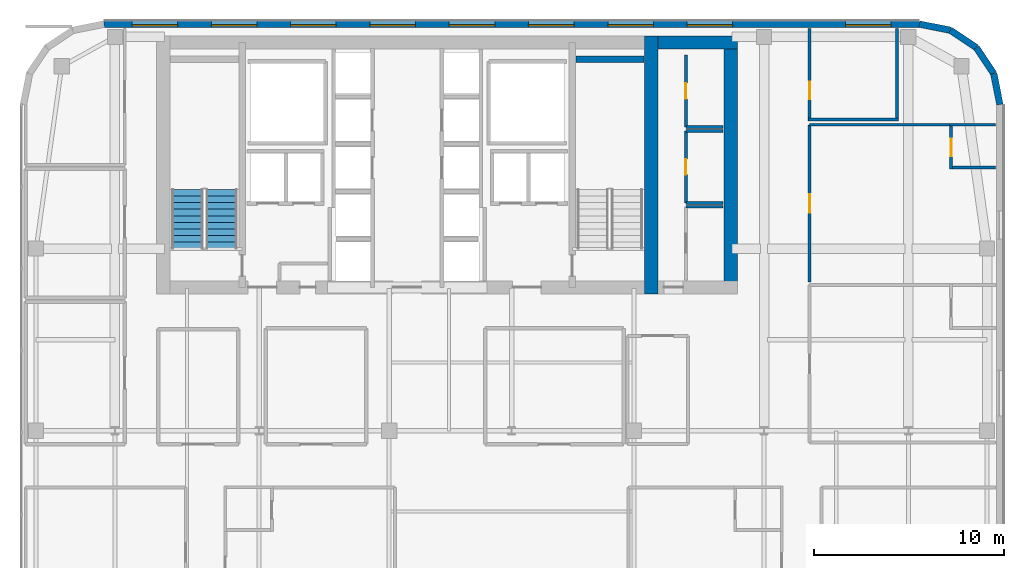
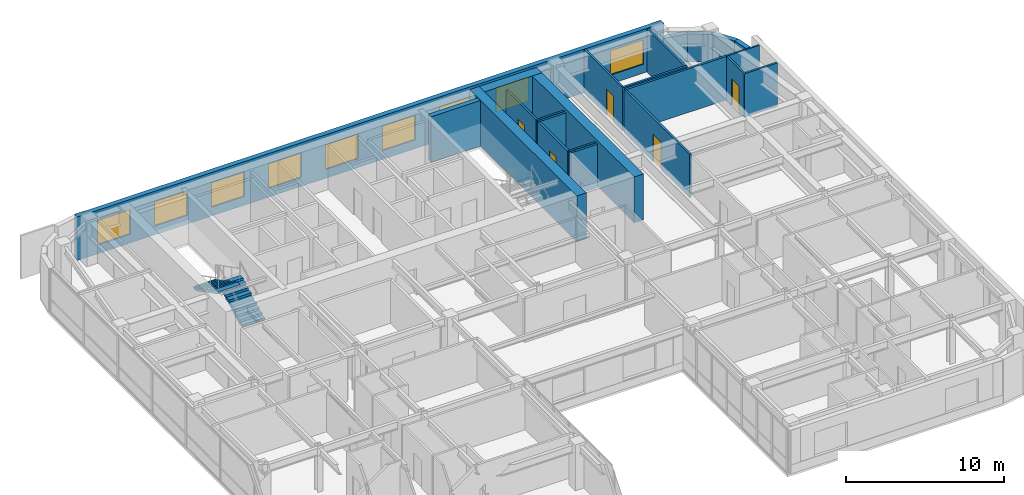
# One storey, part 22 of 28: 23 walls, 9 windows, 5 doors, 2 stair flights, 14 openings, 1 element without a shape of its own.
"""IFC4 building model written with IfcOpenShell, lengths in metres."""

from ifc_helpers import new_model, si_unit, direction, frame, frame_2d, origin, place, context, subcontext, project, spatial, polyline, rectangle, outline, extrude, source, transform, mapped, material, layer, layer_set, type_object, type_shapes, element, fill, aggregate, save


model = new_model("IFC4")

# Units and contexts
model_context = context("Model", 3, precision=1e-05, world=origin(), true_north=direction((0.0, 1.0)))
body_context = subcontext(model_context, "Body", "Model", "MODEL_VIEW")
ifc_project = project(units=[si_unit("LENGTHUNIT", "METRE"), si_unit("AREAUNIT", "SQUARE_METRE"), si_unit("VOLUMEUNIT", "CUBIC_METRE"), si_unit("PLANEANGLEUNIT", "RADIAN"), si_unit("MASSUNIT", "GRAM", prefix="KILO")], contexts=[model_context])

# Site, building, storey
site_placement = place(None, origin())
site = spatial("IfcSite", under=ifc_project, at=site_placement, CompositionType="ELEMENT")
building_placement = place(site_placement, origin())
building = spatial("IfcBuilding", under=site, at=building_placement, Name="Tolvann Quenvar Hotel", CompositionType="ELEMENT")
storey_placement = place(building_placement, frame((0.0, 0.0, 198.199951171875)))
storey = spatial("IfcBuildingStorey", under=building, at=storey_placement, Name="L52", CompositionType="ELEMENT", Elevation=198.199951171875)

# Walls
ifc_material_1 = material(Name="Concrete S65 (65 MPa)", Category="concrete")
ifc_layer_1 = layer(ifc_material_1, 0.699951171875)
ifc_layer_set_1 = layer_set([ifc_layer_1], Name="Concrete S65 (65 MPa)")
wall_type_1 = type_object("IfcWallType", Name="WALL_CORE_700", PredefinedType="SHEAR", material=ifc_layer_set_1)
wall_1_placement = place(storey_placement, frame((35.85009765625, 31.60009765625, 0.0), z_axis=(0.0, 0.0, 1.0), x_axis=(0.0, 1.0, 0.0)))
element("IfcWall", 1, at=wall_1_placement, inside=storey, type_object=wall_type_1, Name="Rear Core E Shear Wall (L52)", PredefinedType="SHEAR", context=body_context, shape_type="SweptSolid", body=[
    extrude(rectangle(XDim=13.599853515625, YDim=0.699951171875, at=frame_2d((6.7998046875, 0.0))), origin(), (0.0, 0.0, 1.0), 3.550048828125),
])
wall_2_placement = place(storey_placement, frame((36.199951171875, 44.85009765625, 0.0), z_axis=(0.0, 0.0, 1.0), x_axis=(1.0, 0.0, 0.0)))
element("IfcWall", 2, at=wall_2_placement, inside=storey, type_object=wall_type_1, Name="Core East Annex Shear Wall ANN-N (L52)", PredefinedType="SHEAR", context=body_context, shape_type="SweptSolid", body=[
    extrude(rectangle(XDim=4.199951171875, YDim=0.699951171875, at=frame_2d((2.10009765625, 0.0))), origin(), (0.0, 0.0, 1.0), 3.550048828125),
])
wall_3_placement = place(storey_placement, frame((40.050048828125, 31.60009765625, 0.0), z_axis=(0.0, 0.0, 1.0), x_axis=(0.0, 1.0, 0.0)))
element("IfcWall", 3, at=wall_3_placement, inside=storey, type_object=wall_type_1, Name="Core East Annex Shear Wall ANN-E (L52)", PredefinedType="SHEAR", context=body_context, shape_type="SweptSolid", body=[
    extrude(rectangle(XDim=13.599853515625, YDim=0.699951171875, at=frame_2d((6.7998046875, 0.0))), origin(), (0.0, 0.0, 1.0), 3.550048828125),
])
ifc_layer_2 = layer(ifc_material_1, 0.35009765625)
ifc_layer_set_2 = layer_set([ifc_layer_2], Name="Concrete S65 (65 MPa)")
wall_type_2 = type_object("IfcWallType", Name="WALL_CORE_INT_350", PredefinedType="SHEAR", material=ifc_layer_set_2)
wall_4_placement = place(storey_placement, frame((31.8798828125, 43.97509765625, 0.0), z_axis=(0.0, 0.0, 1.0), x_axis=(1.0, 0.0, 0.0)))
element("IfcWall", 4, at=wall_4_placement, inside=storey, type_object=wall_type_2, Name="Core Stair North Closing Shear Wall STC2-N (L52)", PredefinedType="SHEAR", context=body_context, shape_type="SweptSolid", body=[
    extrude(rectangle(XDim=3.60009765625, YDim=0.35009765625, at=frame_2d((1.800048828125, 0.0))), origin(), (0.0, 0.0, 1.0), 3.550048828125),
])
ifc_material_2 = material(Name="Kiln-fired red and buff architectural clay brickwork and terracotta masonry", Category="masonry")
ifc_layer_3 = layer(ifc_material_2, 0.35009765625)
ifc_layer_set_3 = layer_set([ifc_layer_3], Name="Kiln-fired red and buff architectural clay brickwork and terracotta masonry")
wall_type_3 = type_object("IfcWallType", Name="WALL_EXT_BRICK_350", PredefinedType="SOLIDWALL", material=ifc_layer_set_3)
wall_5_placement = place(storey_placement, frame((54.22509765625, 41.582763671875, 0.0), z_axis=(0.0, 0.0, 1.0), x_axis=(-0.195044345786, 0.980794424524, 0.0)))
element("IfcWall", 5, at=wall_5_placement, inside=storey, type_object=wall_type_3, Name="Exterior Chicago Brick Wall L52-E14", PredefinedType="SOLIDWALL", context=body_context, shape_type="SweptSolid", body=[
    extrude(rectangle(XDim=1.664794921875, YDim=0.35009765625, at=frame_2d((0.83251953125, 0.0))), origin(), (0.0, 0.0, 1.0), 2.16015625),
])
for number, where, z_axis, x_axis, name in (
    (6, (53.900390625, 43.215576171875, 0.0), (0.0, 0.0, 1.0), (-0.555623290322, 0.831434158098, 0.0), "Exterior Chicago Brick Wall L52-E15"),
    (7, (52.985107421875, 44.585205078125, 0.0), (0.0, 0.0, 1.0), (-0.831502623162, 0.555520825599, 0.0), "Exterior Chicago Brick Wall L52-E16"),
):
    element("IfcWall", number, at=place(storey_placement, frame(where, z_axis=z_axis, x_axis=x_axis)), inside=storey, type_object=wall_type_3, Name=name, PredefinedType="SOLIDWALL", context=body_context, shape_type="SweptSolid", body=[
        extrude(rectangle(XDim=1.647216796875, YDim=0.35009765625, at=frame_2d((0.82373046875, 0.0))), origin(), (0.0, 0.0, 1.0), 2.16015625),
    ])
wall_6_placement = place(storey_placement, frame((51.615478515625, 45.500244140625, 0.0), z_axis=(0.0, 0.0, 1.0), x_axis=(-0.980788844421, 0.195072403631, 0.0)))
element("IfcWall", 8, at=wall_6_placement, inside=storey, type_object=wall_type_3, Name="Exterior Chicago Brick Wall L52-E17", PredefinedType="SOLIDWALL", context=body_context, shape_type="SweptSolid", body=[
    extrude(rectangle(XDim=1.66455078125, YDim=0.35009765625, at=frame_2d((0.832275390625, 0.0))), origin(), (0.0, 0.0, 1.0), 2.16015625),
])

# Wall, openings, windows
wall_7_placement = place(storey_placement, frame((49.98291015625, 45.824951171875, 0.0), z_axis=(0.0, 0.0, 1.0), x_axis=(-1.0, 0.0, 0.0)))
wall_7 = element("IfcWall", 9, at=wall_7_placement, inside=storey, type_object=wall_type_3, Name="Exterior Chicago Brick Wall L52-E18", PredefinedType="SOLIDWALL", context=body_context, shape_type="SweptSolid", body=[
    extrude(rectangle(XDim=42.9658203125, YDim=0.35009765625, at=frame_2d((21.48291015625, 0.0))), origin(), (0.0, 0.0, 1.0), 3.3701171875),
])
opening_1_placement = place(wall_7_placement, frame((1.488037109375, 0.0, 0.679931640625)))
opening_1 = element("IfcOpeningElement", 10, at=opening_1_placement, cuts=wall_7, Name="Opening W-01", PredefinedType="OPENING", context=body_context, shape_type="SweptSolid", body=[
    extrude(rectangle(XDim=2.39990234375, YDim=1.89990234375, at=frame_2d((1.199951171875, 0.949951171875))), frame((0.0, 0.18505859375, 0.0), z_axis=(0.0, -1.0, 0.0), x_axis=(1.0, 0.0, 0.0)), (0.0, 0.0, 1.0), 0.3701171875),
])
opening_2_placement = place(wall_7_placement, frame((9.841064453125, 0.0, 0.679931640625)))
opening_2 = element("IfcOpeningElement", 11, at=opening_2_placement, cuts=wall_7, Name="Opening W-01", PredefinedType="OPENING", context=body_context, shape_type="SweptSolid", body=[
    extrude(rectangle(XDim=2.39990234375, YDim=1.89990234375, at=frame_2d((1.199951171875, 0.949951171875))), frame((0.0, 0.18505859375, 0.0), z_axis=(0.0, -1.0, 0.0), x_axis=(1.0, 0.0, 0.0)), (0.0, 0.0, 1.0), 0.3701171875),
])
opening_3_placement = place(wall_7_placement, frame((14.01806640625, 0.0, 0.679931640625)))
opening_3 = element("IfcOpeningElement", 12, at=opening_3_placement, cuts=wall_7, Name="Opening W-01", PredefinedType="OPENING", context=body_context, shape_type="SweptSolid", body=[
    extrude(rectangle(XDim=2.39990234375, YDim=1.89990234375, at=frame_2d((1.199951171875, 0.949951171875))), frame((0.0, 0.18505859375, 0.0), z_axis=(0.0, -1.0, 0.0), x_axis=(1.0, 0.0, 0.0)), (0.0, 0.0, 1.0), 0.3701171875),
])
opening_4_placement = place(wall_7_placement, frame((18.195068359375, 0.0, 0.679931640625)))
opening_4 = element("IfcOpeningElement", 13, at=opening_4_placement, cuts=wall_7, Name="Opening W-01", PredefinedType="OPENING", context=body_context, shape_type="SweptSolid", body=[
    extrude(rectangle(XDim=2.39990234375, YDim=1.89990234375, at=frame_2d((1.199951171875, 0.949951171875))), frame((0.0, 0.18505859375, 0.0), z_axis=(0.0, -1.0, 0.0), x_axis=(1.0, 0.0, 0.0)), (0.0, 0.0, 1.0), 0.3701171875),
])
opening_5_placement = place(wall_7_placement, frame((22.37109375, 0.0, 0.679931640625)))
opening_5 = element("IfcOpeningElement", 14, at=opening_5_placement, cuts=wall_7, Name="Opening W-01", PredefinedType="OPENING", context=body_context, shape_type="SweptSolid", body=[
    extrude(rectangle(XDim=2.39990234375, YDim=1.89990234375, at=frame_2d((1.199951171875, 0.949951171875))), frame((0.0, 0.18505859375, 0.0), z_axis=(0.0, -1.0, 0.0), x_axis=(1.0, 0.0, 0.0)), (0.0, 0.0, 1.0), 0.3701171875),
])
opening_6_placement = place(wall_7_placement, frame((26.548095703125, 0.0, 0.679931640625)))
opening_6 = element("IfcOpeningElement", 15, at=opening_6_placement, cuts=wall_7, Name="Opening W-01", PredefinedType="OPENING", context=body_context, shape_type="SweptSolid", body=[
    extrude(rectangle(XDim=2.39990234375, YDim=1.89990234375, at=frame_2d((1.199951171875, 0.949951171875))), frame((0.0, 0.18505859375, 0.0), z_axis=(0.0, -1.0, 0.0), x_axis=(1.0, 0.0, 0.0)), (0.0, 0.0, 1.0), 0.3701171875),
])
opening_7_placement = place(wall_7_placement, frame((30.72412109375, 0.0, 0.679931640625)))
opening_7 = element("IfcOpeningElement", 16, at=opening_7_placement, cuts=wall_7, Name="Opening W-01", PredefinedType="OPENING", context=body_context, shape_type="SweptSolid", body=[
    extrude(rectangle(XDim=2.39990234375, YDim=1.89990234375, at=frame_2d((1.199951171875, 0.949951171875))), frame((0.0, 0.18505859375, 0.0), z_axis=(0.0, -1.0, 0.0), x_axis=(1.0, 0.0, 0.0)), (0.0, 0.0, 1.0), 0.3701171875),
])
opening_8_placement = place(wall_7_placement, frame((34.90087890625, 0.0, 0.679931640625)))
opening_8 = element("IfcOpeningElement", 17, at=opening_8_placement, cuts=wall_7, Name="Opening W-01", PredefinedType="OPENING", context=body_context, shape_type="SweptSolid", body=[
    extrude(rectangle(XDim=2.39990234375, YDim=1.89990234375, at=frame_2d((1.199951171875, 0.949951171875))), frame((0.0, 0.18505859375, 0.0), z_axis=(0.0, -1.0, 0.0), x_axis=(1.0, 0.0, 0.0)), (0.0, 0.0, 1.0), 0.3701171875),
])
opening_9_placement = place(wall_7_placement, frame((39.076904296875, 0.0, 0.679931640625)))
opening_9 = element("IfcOpeningElement", 18, at=opening_9_placement, cuts=wall_7, Name="Opening W-01", PredefinedType="OPENING", context=body_context, shape_type="SweptSolid", body=[
    extrude(rectangle(XDim=2.39990234375, YDim=1.89990234375, at=frame_2d((1.199951171875, 0.949951171875))), frame((0.0, 0.18505859375, 0.0), z_axis=(0.0, -1.0, 0.0), x_axis=(1.0, 0.0, 0.0)), (0.0, 0.0, 1.0), 0.3701171875),
])
ifc_material_3 = material(Name="Thermally broken bronze-anodised aluminium frame with double low-E glazing", Category="aluminium")
window_type = type_object("IfcWindowType", Name="WIN_CHI_2400x2050", PartitioningType="TRIPLE_PANEL_HORIZONTAL", PredefinedType="WINDOW", material=ifc_material_3)
shared_shape_1 = source(origin(), body_context, "Body", "SweptSolid", [
    extrude(rectangle(XDim=2.39990234375, YDim=1.89990234375, at=frame_2d((1.199951171875, 0.949951171875))), frame((0.0, 0.090087890625, 0.0), z_axis=(0.0, -1.0, 0.0), x_axis=(1.0, 0.0, 0.0)), (0.0, 0.0, 1.0), 0.06005859375),
])
type_shapes(window_type, [shared_shape_1])
window_1_placement = place(opening_1_placement, origin())
window_1 = element("IfcWindow", 19, at=window_1_placement, inside=storey, type_object=window_type, Name="Chicago Window W-01 (EW-L52-E18-W01)", OverallHeight=1.89990234375, OverallWidth=2.39990234375, PartitioningType="TRIPLE_PANEL_HORIZONTAL", PredefinedType="WINDOW", context=body_context, shape_type="MappedRepresentation", body=[
    mapped(shared_shape_1, transform((0.0, 0.0, 0.0), x_axis=(1.0, 0.0, 0.0), y_axis=(0.0, 1.0, 0.0), z_axis=(0.0, 0.0, 1.0), scale=1.0)),
])
fill(opening_1, window_1)
window_2_placement = place(opening_2_placement, origin())
window_2 = element("IfcWindow", 20, at=window_2_placement, inside=storey, type_object=window_type, Name="Chicago Window W-01 (EW-L52-E18-W02)", OverallHeight=1.89990234375, OverallWidth=2.39990234375, PartitioningType="TRIPLE_PANEL_HORIZONTAL", PredefinedType="WINDOW", context=body_context, shape_type="MappedRepresentation", body=[
    mapped(shared_shape_1, transform((0.0, 0.0, 0.0), x_axis=(1.0, 0.0, 0.0), y_axis=(0.0, 1.0, 0.0), z_axis=(0.0, 0.0, 1.0), scale=1.0)),
])
fill(opening_2, window_2)
window_3_placement = place(opening_3_placement, origin())
window_3 = element("IfcWindow", 21, at=window_3_placement, inside=storey, type_object=window_type, Name="Chicago Window W-01 (EW-L52-E18-W03)", OverallHeight=1.89990234375, OverallWidth=2.39990234375, PartitioningType="TRIPLE_PANEL_HORIZONTAL", PredefinedType="WINDOW", context=body_context, shape_type="MappedRepresentation", body=[
    mapped(shared_shape_1, transform((0.0, 0.0, 0.0), x_axis=(1.0, 0.0, 0.0), y_axis=(0.0, 1.0, 0.0), z_axis=(0.0, 0.0, 1.0), scale=1.0)),
])
fill(opening_3, window_3)
window_4_placement = place(opening_4_placement, origin())
window_4 = element("IfcWindow", 22, at=window_4_placement, inside=storey, type_object=window_type, Name="Chicago Window W-01 (EW-L52-E18-W04)", OverallHeight=1.89990234375, OverallWidth=2.39990234375, PartitioningType="TRIPLE_PANEL_HORIZONTAL", PredefinedType="WINDOW", context=body_context, shape_type="MappedRepresentation", body=[
    mapped(shared_shape_1, transform((0.0, 0.0, 0.0), x_axis=(1.0, 0.0, 0.0), y_axis=(0.0, 1.0, 0.0), z_axis=(0.0, 0.0, 1.0), scale=1.0)),
])
fill(opening_4, window_4)
window_5_placement = place(opening_5_placement, origin())
window_5 = element("IfcWindow", 23, at=window_5_placement, inside=storey, type_object=window_type, Name="Chicago Window W-01 (EW-L52-E18-W05)", OverallHeight=1.89990234375, OverallWidth=2.39990234375, PartitioningType="TRIPLE_PANEL_HORIZONTAL", PredefinedType="WINDOW", context=body_context, shape_type="MappedRepresentation", body=[
    mapped(shared_shape_1, transform((0.0, 0.0, 0.0), x_axis=(1.0, 0.0, 0.0), y_axis=(0.0, 1.0, 0.0), z_axis=(0.0, 0.0, 1.0), scale=1.0)),
])
fill(opening_5, window_5)
window_6_placement = place(opening_6_placement, origin())
window_6 = element("IfcWindow", 24, at=window_6_placement, inside=storey, type_object=window_type, Name="Chicago Window W-01 (EW-L52-E18-W06)", OverallHeight=1.89990234375, OverallWidth=2.39990234375, PartitioningType="TRIPLE_PANEL_HORIZONTAL", PredefinedType="WINDOW", context=body_context, shape_type="MappedRepresentation", body=[
    mapped(shared_shape_1, transform((0.0, 0.0, 0.0), x_axis=(1.0, 0.0, 0.0), y_axis=(0.0, 1.0, 0.0), z_axis=(0.0, 0.0, 1.0), scale=1.0)),
])
fill(opening_6, window_6)
window_7_placement = place(opening_7_placement, origin())
window_7 = element("IfcWindow", 25, at=window_7_placement, inside=storey, type_object=window_type, Name="Chicago Window W-01 (EW-L52-E18-W07)", OverallHeight=1.89990234375, OverallWidth=2.39990234375, PartitioningType="TRIPLE_PANEL_HORIZONTAL", PredefinedType="WINDOW", context=body_context, shape_type="MappedRepresentation", body=[
    mapped(shared_shape_1, transform((0.0, 0.0, 0.0), x_axis=(1.0, 0.0, 0.0), y_axis=(0.0, 1.0, 0.0), z_axis=(0.0, 0.0, 1.0), scale=1.0)),
])
fill(opening_7, window_7)
window_8_placement = place(opening_8_placement, origin())
window_8 = element("IfcWindow", 26, at=window_8_placement, inside=storey, type_object=window_type, Name="Chicago Window W-01 (EW-L52-E18-W08)", OverallHeight=1.89990234375, OverallWidth=2.39990234375, PartitioningType="TRIPLE_PANEL_HORIZONTAL", PredefinedType="WINDOW", context=body_context, shape_type="MappedRepresentation", body=[
    mapped(shared_shape_1, transform((0.0, 0.0, 0.0), x_axis=(1.0, 0.0, 0.0), y_axis=(0.0, 1.0, 0.0), z_axis=(0.0, 0.0, 1.0), scale=1.0)),
])
fill(opening_8, window_8)
window_9_placement = place(opening_9_placement, origin())
window_9 = element("IfcWindow", 27, at=window_9_placement, inside=storey, type_object=window_type, Name="Chicago Window W-01 (EW-L52-E18-W09)", OverallHeight=1.89990234375, OverallWidth=2.39990234375, PartitioningType="TRIPLE_PANEL_HORIZONTAL", PredefinedType="WINDOW", context=body_context, shape_type="MappedRepresentation", body=[
    mapped(shared_shape_1, transform((0.0, 0.0, 0.0), x_axis=(1.0, 0.0, 0.0), y_axis=(0.0, 1.0, 0.0), z_axis=(0.0, 0.0, 1.0), scale=1.0)),
])
fill(opening_9, window_9)

# Wall
ifc_material_4 = material(Name="Moisture-resistant acoustic plumbing wall assembly")
ifc_layer_4 = layer(ifc_material_4, 0.1201171875)
ifc_layer_set_4 = layer_set([ifc_layer_4], Name="Moisture-resistant acoustic plumbing wall assembly")
wall_type_4 = type_object("IfcWallType", Name="WALL_PART_BATH_120", PredefinedType="PLUMBINGWALL", material=ifc_layer_set_4)
wall_8_placement = place(storey_placement, frame((51.580078125, 40.52001953125, 0.0), z_axis=(0.0, 0.0, 1.0), x_axis=(1.0, 0.0, 0.0)))
element("IfcWall", 28, at=wall_8_placement, inside=storey, type_object=wall_type_4, Name="Non-Rated Plumbing Partition PT-SPC-L52-ENS-NE02-N", PredefinedType="PLUMBINGWALL", context=body_context, shape_type="SweptSolid", body=[
    extrude(rectangle(XDim=2.4150390625, YDim=0.1201171875, at=frame_2d((1.20751953125, 0.0))), origin(), (0.0, 0.0, 1.0), 3.3701171875),
])

# Wall, opening, door
ifc_material_5 = material(Name="Acoustic twin-stud fire-rated gypsum plasterboard partition")
ifc_layer_5 = layer(ifc_material_5, 0.14990234375)
ifc_layer_set_5 = layer_set([ifc_layer_5], Name="Acoustic twin-stud fire-rated gypsum plasterboard partition")
wall_type_5 = type_object("IfcWallType", Name="WALL_PART_SUITE_150", PredefinedType="PARTITIONING", material=ifc_layer_set_5)
wall_9_placement = place(storey_placement, frame((51.64990234375, 38.199951171875, 0.0), z_axis=(0.0, 0.0, 1.0), x_axis=(0.0, 1.0, 0.0)))
wall_9 = element("IfcWall", 29, at=wall_9_placement, inside=storey, type_object=wall_type_5, Name="Interior Partition PT-SPC-L52-ENS-NE02-ENT", PredefinedType="PARTITIONING", context=body_context, shape_type="SweptSolid", body=[
    extrude(rectangle(XDim=2.39013671875, YDim=0.14990234375, at=frame_2d((1.195068359375, 0.0))), origin(), (0.0, 0.0, 1.0), 3.3701171875),
])
opening_10_placement = place(wall_9_placement, frame((0.6650390625, 0.0, 0.0)))
opening_10 = element("IfcOpeningElement", 30, at=opening_10_placement, cuts=wall_9, Name="Opening WD-01", PredefinedType="OPENING", context=body_context, shape_type="SweptSolid", body=[
    extrude(rectangle(XDim=0.919921875, YDim=2.010009765625, at=frame_2d((0.4599609375, 1.0048828125))), frame((0.0, 0.0849609375, 0.0), z_axis=(0.0, -1.0, 0.0), x_axis=(1.0, 0.0, 0.0)), (0.0, 0.0, 1.0), 0.169921875),
])
ifc_material_6 = material(Name="Solid-core American oak acoustic fire door leaf in steel frame", Category="steel")
door_type_1 = type_object("IfcDoorType", Name="DOOR_WC_920", OperationType="NOTDEFINED", PredefinedType="DOOR", material=ifc_material_6)
shared_shape_2 = source(origin(), body_context, "Body", "SweptSolid", [
    extrude(rectangle(XDim=0.919921875, YDim=2.010009765625, at=frame_2d((0.4599609375, 1.0048828125))), frame((0.0, 0.02490234375, 0.0), z_axis=(0.0, -1.0, 0.0), x_axis=(1.0, 0.0, 0.0)), (0.0, 0.0, 1.0), 0.050048828125),
])
type_shapes(door_type_1, [shared_shape_2])
door_1_placement = place(opening_10_placement, origin())
door_1 = element("IfcDoor", 31, at=door_1_placement, inside=storey, type_object=door_type_1, Name="Interior Door DOOR-SPC-L52-ENS-NE02", OperationType="SINGLE_SWING_RIGHT", OverallHeight=2.010009765625, OverallWidth=0.919921875, PredefinedType="DOOR", context=body_context, shape_type="MappedRepresentation", body=[
    mapped(shared_shape_2, transform((0.0, 0.0, 0.0), x_axis=(1.0, 0.0, 0.0), y_axis=(0.0, 1.0, 0.0), z_axis=(0.0, 0.0, 1.0), scale=1.0)),
])
fill(opening_10, door_1)

# Walls
wall_10_placement = place(storey_placement, frame((51.580078125, 38.27001953125, 0.0), z_axis=(0.0, 0.0, 1.0), x_axis=(1.0, 0.0, 0.0)))
element("IfcWall", 32, at=wall_10_placement, inside=storey, type_object=wall_type_5, Name="Interior Partition PT-SPC-L52-ENS-NE02-S", PredefinedType="PARTITIONING", context=body_context, shape_type="SweptSolid", body=[
    extrude(rectangle(XDim=2.4150390625, YDim=0.14990234375, at=frame_2d((1.20751953125, 0.0))), origin(), (0.0, 0.0, 1.0), 3.3701171875),
])
for number, where, z_axis, x_axis, name in (
    (33, (37.679931640625, 36.199951171875, 0.0), (0.0, 0.0, 1.0), (1.0, 0.0, 0.0), "Interior Partition PT-SPC-L52-RECPL-1-N"),
    (34, (37.679931640625, 36.39990234375, 0.0), (0.0, 0.0, 1.0), (1.0, 0.0, 0.0), "Interior Partition PT-SPC-L52-CSE-1-S"),
    (35, (37.679931640625, 40.199951171875, 0.0), (0.0, 0.0, 1.0), (1.0, 0.0, 0.0), "Interior Partition PT-SPC-L52-CSE-1-N"),
):
    element("IfcWall", number, at=place(storey_placement, frame(where, z_axis=z_axis, x_axis=x_axis)), inside=storey, type_object=wall_type_5, Name=name, PredefinedType="PARTITIONING", context=body_context, shape_type="SweptSolid", body=[
        extrude(rectangle(XDim=1.965087890625, YDim=0.14990234375, at=frame_2d((0.982421875, 0.0))), origin(), (0.0, 0.0, 1.0), 3.3701171875),
    ])

# Wall, opening, door
wall_11_placement = place(storey_placement, frame((37.679931640625, 36.39990234375, 0.0), z_axis=(0.0, 0.0, 1.0), x_axis=(0.0, 1.0, 0.0)))
wall_11 = element("IfcWall", 36, at=wall_11_placement, inside=storey, type_object=wall_type_5, Name="Interior Partition PT-SPC-L52-CSE-1-W", PredefinedType="PARTITIONING", context=body_context, shape_type="SweptSolid", body=[
    extrude(rectangle(XDim=3.800048828125, YDim=0.14990234375, at=frame_2d((1.89990234375, 0.0))), origin(), (0.0, 0.0, 1.0), 3.3701171875),
])
opening_11_placement = place(wall_11_placement, frame((1.489990234375, 0.0, 0.0)))
opening_11 = element("IfcOpeningElement", 37, at=opening_11_placement, cuts=wall_11, Name="Opening HD-02", PredefinedType="OPENING", context=body_context, shape_type="SweptSolid", body=[
    extrude(rectangle(XDim=0.820068359375, YDim=2.010009765625, at=frame_2d((0.41015625, 1.0048828125))), frame((0.0, 0.0849609375, 0.0), z_axis=(0.0, -1.0, 0.0), x_axis=(1.0, 0.0, 0.0)), (0.0, 0.0, 1.0), 0.169921875),
])
ifc_material_7 = material(Name="Pressed galvanised steel fire-rated door set", Category="steel")
door_type_2 = type_object("IfcDoorType", Name="DOOR_STORE_820", OperationType="NOTDEFINED", PredefinedType="DOOR", material=ifc_material_7)
shared_shape_3 = source(origin(), body_context, "Body", "SweptSolid", [
    extrude(rectangle(XDim=0.820068359375, YDim=2.010009765625, at=frame_2d((0.41015625, 1.0048828125))), frame((0.0, 0.02490234375, 0.0), z_axis=(0.0, -1.0, 0.0), x_axis=(1.0, 0.0, 0.0)), (0.0, 0.0, 1.0), 0.050048828125),
])
type_shapes(door_type_2, [shared_shape_3])
door_2_placement = place(opening_11_placement, origin())
door_2 = element("IfcDoor", 38, at=door_2_placement, inside=storey, type_object=door_type_2, Name="Interior Door DOOR-SPC-L52-CSE-1", OperationType="SINGLE_SWING_RIGHT", OverallHeight=2.010009765625, OverallWidth=0.820068359375, PredefinedType="DOOR", context=body_context, shape_type="MappedRepresentation", body=[
    mapped(shared_shape_3, transform((0.0, 0.0, 0.0), x_axis=(1.0, 0.0, 0.0), y_axis=(0.0, 1.0, 0.0), z_axis=(0.0, 0.0, 1.0), scale=1.0)),
])
fill(opening_11, door_2)

# Wall
wall_12_placement = place(storey_placement, frame((37.679931640625, 40.39990234375, 0.0), z_axis=(0.0, 0.0, 1.0), x_axis=(1.0, 0.0, 0.0)))
element("IfcWall", 39, at=wall_12_placement, inside=storey, type_object=wall_type_5, Name="Interior Partition PT-SPC-L52-CSE-2-S", PredefinedType="PARTITIONING", context=body_context, shape_type="SweptSolid", body=[
    extrude(rectangle(XDim=1.965087890625, YDim=0.14990234375, at=frame_2d((0.982421875, 0.0))), origin(), (0.0, 0.0, 1.0), 3.3701171875),
])

# Wall, opening, door
wall_13_placement = place(storey_placement, frame((37.679931640625, 40.39990234375, 0.0), z_axis=(0.0, 0.0, 1.0), x_axis=(0.0, 1.0, 0.0)))
wall_13 = element("IfcWall", 40, at=wall_13_placement, inside=storey, type_object=wall_type_5, Name="Interior Partition PT-SPC-L52-CSE-2-W", PredefinedType="PARTITIONING", context=body_context, shape_type="SweptSolid", body=[
    extrude(rectangle(XDim=3.800048828125, YDim=0.14990234375, at=frame_2d((1.89990234375, 0.0))), origin(), (0.0, 0.0, 1.0), 3.3701171875),
])
opening_12_placement = place(wall_13_placement, frame((1.489990234375, 0.0, 0.0)))
opening_12 = element("IfcOpeningElement", 41, at=opening_12_placement, cuts=wall_13, Name="Opening HD-02", PredefinedType="OPENING", context=body_context, shape_type="SweptSolid", body=[
    extrude(rectangle(XDim=0.820068359375, YDim=2.010009765625, at=frame_2d((0.41015625, 1.0048828125))), frame((0.0, 0.0849609375, 0.0), z_axis=(0.0, -1.0, 0.0), x_axis=(1.0, 0.0, 0.0)), (0.0, 0.0, 1.0), 0.169921875),
])
door_3_placement = place(opening_12_placement, origin())
door_3 = element("IfcDoor", 42, at=door_3_placement, inside=storey, type_object=door_type_2, Name="Interior Door DOOR-SPC-L52-CSE-2", OperationType="SINGLE_SWING_LEFT", OverallHeight=2.010009765625, OverallWidth=0.820068359375, PredefinedType="DOOR", context=body_context, shape_type="MappedRepresentation", body=[
    mapped(shared_shape_3, transform((0.0, 0.0, 0.0), x_axis=(1.0, 0.0, 0.0), y_axis=(0.0, 1.0, 0.0), z_axis=(0.0, 0.0, 1.0), scale=1.0)),
])
fill(opening_12, door_3)

wall_14_placement = place(storey_placement, frame((44.199951171875, 32.22998046875, 0.0), z_axis=(0.0, 0.0, 1.0), x_axis=(0.0, 1.0, 0.0)))
wall_14 = element("IfcWall", 43, at=wall_14_placement, inside=storey, type_object=wall_type_5, Name="Interior Partition PT-SPC-L52-RM-NE02-ENT", PredefinedType="PARTITIONING", context=body_context, shape_type="SweptSolid", body=[
    extrude(rectangle(XDim=8.2900390625, YDim=0.14990234375, at=frame_2d((4.14501953125, 0.0))), origin(), (0.0, 0.0, 1.0), 3.3701171875),
])
opening_13_placement = place(wall_14_placement, frame((3.655029296875, 0.0, 0.0)))
opening_13 = element("IfcOpeningElement", 44, at=opening_13_placement, cuts=wall_14, Name="Opening SD-01", PredefinedType="OPENING", context=body_context, shape_type="SweptSolid", body=[
    extrude(rectangle(XDim=0.97998046875, YDim=2.1201171875, at=frame_2d((0.489990234375, 1.06005859375))), frame((0.0, 0.0849609375, 0.0), z_axis=(0.0, -1.0, 0.0), x_axis=(1.0, 0.0, 0.0)), (0.0, 0.0, 1.0), 0.169921875),
])
door_type_3 = type_object("IfcDoorType", Name="DOOR_SUITE_980", OperationType="NOTDEFINED", PredefinedType="DOOR", material=ifc_material_6)
shared_shape_4 = source(origin(), body_context, "Body", "SweptSolid", [
    extrude(rectangle(XDim=0.97998046875, YDim=2.1201171875, at=frame_2d((0.489990234375, 1.06005859375))), frame((0.0, 0.02490234375, 0.0), z_axis=(0.0, -1.0, 0.0), x_axis=(1.0, 0.0, 0.0)), (0.0, 0.0, 1.0), 0.050048828125),
])
type_shapes(door_type_3, [shared_shape_4])
door_4_placement = place(opening_13_placement, origin())
door_4 = element("IfcDoor", 45, at=door_4_placement, inside=storey, type_object=door_type_3, Name="Interior Door DOOR-SPC-L52-RM-NE02", OperationType="SINGLE_SWING_LEFT", OverallHeight=2.1201171875, OverallWidth=0.97998046875, PredefinedType="DOOR", context=body_context, shape_type="MappedRepresentation", body=[
    mapped(shared_shape_4, transform((0.0, 0.0, 0.0), x_axis=(1.0, 0.0, 0.0), y_axis=(0.0, 1.0, 0.0), z_axis=(0.0, 0.0, 1.0), scale=1.0)),
])
fill(opening_13, door_4)

# Wall
wall_15_placement = place(storey_placement, frame((44.199951171875, 40.52001953125, 0.0), z_axis=(0.0, 0.0, 1.0), x_axis=(1.0, 0.0, 0.0)))
element("IfcWall", 46, at=wall_15_placement, inside=storey, type_object=wall_type_5, Name="Interior Partition PT-SPC-L52-RM-NE02-E5", PredefinedType="PARTITIONING", context=body_context, shape_type="SweptSolid", body=[
    extrude(rectangle(XDim=7.429931640625, YDim=0.14990234375, at=frame_2d((3.71484375, 0.0))), origin(), (0.0, 0.0, 1.0), 3.3701171875),
])

# Wall, opening, door
wall_16_placement = place(storey_placement, frame((44.199951171875, 40.72998046875, 0.0), z_axis=(0.0, 0.0, 1.0), x_axis=(0.0, 1.0, 0.0)))
wall_16 = element("IfcWall", 47, at=wall_16_placement, inside=storey, type_object=wall_type_5, Name="Interior Partition PT-SPC-L52-WCA-ENT", PredefinedType="PARTITIONING", context=body_context, shape_type="SweptSolid", body=[
    extrude(rectangle(XDim=4.864990234375, YDim=0.14990234375, at=frame_2d((2.4326171875, 0.0))), origin(), (0.0, 0.0, 1.0), 3.3701171875),
])
opening_14_placement = place(wall_16_placement, frame((1.139892578125, 0.0, 0.0)))
opening_14 = element("IfcOpeningElement", 48, at=opening_14_placement, cuts=wall_16, Name="Opening WD-01", PredefinedType="OPENING", context=body_context, shape_type="SweptSolid", body=[
    extrude(rectangle(XDim=0.919921875, YDim=2.010009765625, at=frame_2d((0.4599609375, 1.0048828125))), frame((0.0, 0.0849609375, 0.0), z_axis=(0.0, -1.0, 0.0), x_axis=(1.0, 0.0, 0.0)), (0.0, 0.0, 1.0), 0.169921875),
])
door_5_placement = place(opening_14_placement, origin())
door_5 = element("IfcDoor", 49, at=door_5_placement, inside=storey, type_object=door_type_1, Name="Interior Door DOOR-SPC-L52-WCA", OperationType="SINGLE_SWING_RIGHT", OverallHeight=2.010009765625, OverallWidth=0.919921875, PredefinedType="DOOR", context=body_context, shape_type="MappedRepresentation", body=[
    mapped(shared_shape_2, transform((0.0, 0.0, 0.0), x_axis=(1.0, 0.0, 0.0), y_axis=(0.0, 1.0, 0.0), z_axis=(0.0, 0.0, 1.0), scale=1.0)),
])
fill(opening_14, door_5)

# Walls
wall_17_placement = place(storey_placement, frame((44.1298828125, 40.800048828125, 0.0), z_axis=(0.0, 0.0, 1.0), x_axis=(1.0, 0.0, 0.0)))
element("IfcWall", 50, at=wall_17_placement, inside=storey, type_object=wall_type_5, Name="Interior Partition PT-SPC-L52-WCA-S", PredefinedType="PARTITIONING", context=body_context, shape_type="SweptSolid", body=[
    extrude(rectangle(XDim=4.740234375, YDim=0.14990234375, at=frame_2d((2.3701171875, 0.0))), origin(), (0.0, 0.0, 1.0), 3.3701171875),
])
wall_18_placement = place(storey_placement, frame((48.800048828125, 40.72998046875, 0.0), z_axis=(0.0, 0.0, 1.0), x_axis=(0.0, 1.0, 0.0)))
element("IfcWall", 51, at=wall_18_placement, inside=storey, type_object=wall_type_5, Name="Interior Partition PT-SPC-L52-WCA-E", PredefinedType="PARTITIONING", context=body_context, shape_type="SweptSolid", body=[
    extrude(rectangle(XDim=4.864990234375, YDim=0.14990234375, at=frame_2d((2.4326171875, 0.0))), origin(), (0.0, 0.0, 1.0), 3.3701171875),
])

# Stair, stair flights
ifc_material_8 = material(Name="Concrete N40 (40 MPa)", Category="concrete")
stair_type = type_object("IfcStairType", Name="STAIR", PredefinedType="HALF_TURN_STAIR", material=ifc_material_8)
stair_placement = place(storey_placement, origin())
stair = element("IfcStair", 52, at=stair_placement, inside=storey, type_object=stair_type, Name="L52 ST-C1", PredefinedType="HALF_TURN_STAIR")
stair_flight_type = type_object("IfcStairFlightType", Name="STAIR_FLIGHT", PredefinedType="STRAIGHT", material=ifc_material_8)
stair_flight_1_placement = place(storey_placement, frame((13.22509765625, 34.0, 0.0), z_axis=(0.0, 0.0, 1.0), x_axis=(0.0, 1.0, 0.0)))
stair_flight_1 = element("IfcStairFlight", 53, at=stair_flight_1_placement, type_object=stair_flight_type, Name="ST-C1 flight 1", NumberOfRisers=10, NumberOfTreads=9, PredefinedType="STRAIGHT", RiserHeight=0.1775, TreadLength=0.345, context=body_context, shape_type="SweptSolid", body=[
    extrude(outline(polyline([(0.0, 0.0), (0.0, 0.177490234375), (0.344970703125, 0.177490234375), (0.344970703125, 0.35498046875), (0.68994140625, 0.35498046875), (0.68994140625, 0.532470703125), (1.034912109375, 0.532470703125), (1.034912109375, 0.7099609375), (1.3798828125, 0.7099609375), (1.3798828125, 0.887451171875), (1.72509765625, 0.887451171875), (1.72509765625, 1.06494140625), (2.070068359375, 1.06494140625), (2.070068359375, 1.242431640625), (2.4150390625, 1.242431640625), (2.4150390625, 1.419921875), (2.760009765625, 1.419921875), (2.760009765625, 1.597412109375), (3.10498046875, 1.597412109375), (3.10498046875, 1.77490234375), (3.10498046875, 1.428955078125), (0.32763671875, 0.0), (0.0, 0.0)])), frame((0.0, 0.824951171875, 0.0), z_axis=(0.0, -1.0, 0.0), x_axis=(1.0, 0.0, 0.0)), (0.0, 0.0, 1.0), 1.64990234375),
])
stair_flight_2_placement = place(storey_placement, frame((11.425048828125, 37.10498046875, 1.775146484375), z_axis=(0.0, 0.0, 1.0), x_axis=(0.0, -1.0, 0.0)))
stair_flight_2 = element("IfcStairFlight", 54, at=stair_flight_2_placement, type_object=stair_flight_type, Name="ST-C1 flight 2", NumberOfRisers=10, NumberOfTreads=9, PredefinedType="STRAIGHT", RiserHeight=0.1775, TreadLength=0.345, context=body_context, shape_type="SweptSolid", body=[
    extrude(outline(polyline([(0.0, 0.0), (0.0, 0.177490234375), (0.344970703125, 0.177490234375), (0.344970703125, 0.35498046875), (0.68994140625, 0.35498046875), (0.68994140625, 0.532470703125), (1.034912109375, 0.532470703125), (1.034912109375, 0.7099609375), (1.3798828125, 0.7099609375), (1.3798828125, 0.887451171875), (1.72509765625, 0.887451171875), (1.72509765625, 1.06494140625), (2.070068359375, 1.06494140625), (2.070068359375, 1.242431640625), (2.4150390625, 1.242431640625), (2.4150390625, 1.419921875), (2.760009765625, 1.419921875), (2.760009765625, 1.597412109375), (3.10498046875, 1.597412109375), (3.10498046875, 1.77490234375), (3.10498046875, 1.428955078125), (0.32763671875, 0.0), (0.0, 0.0)])), frame((0.0, 0.824951171875, 0.0), z_axis=(0.0, -1.0, 0.0), x_axis=(1.0, 0.0, 0.0)), (0.0, 0.0, 1.0), 1.64990234375),
])
aggregate(stair, [stair_flight_1, stair_flight_2])

save(model, "model.ifc")
